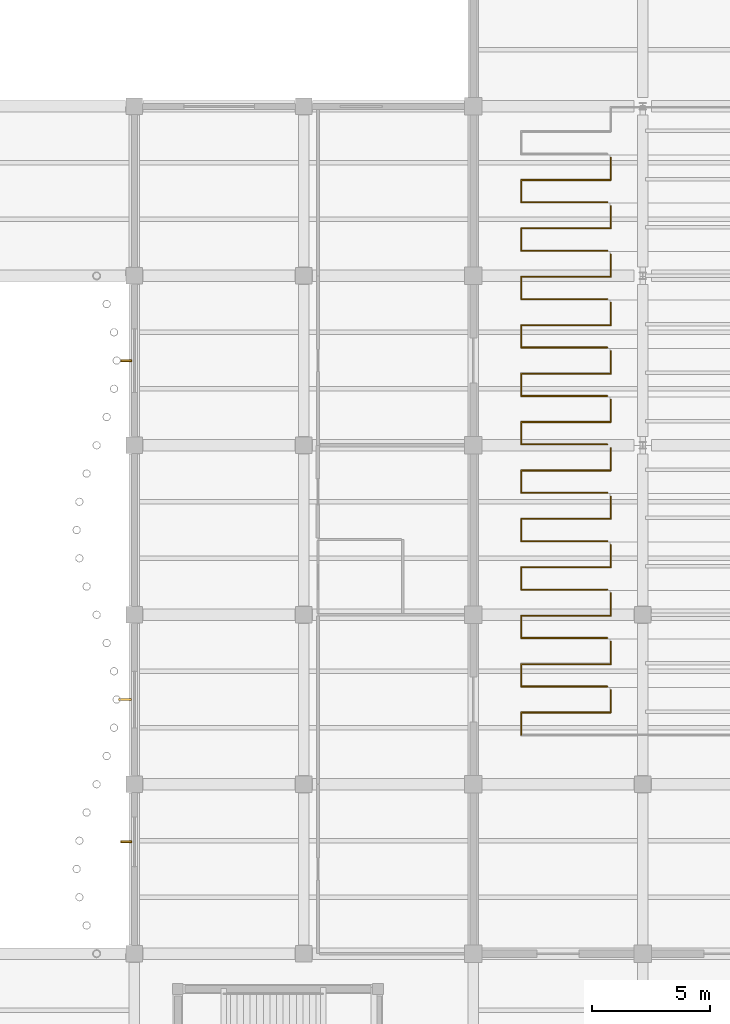
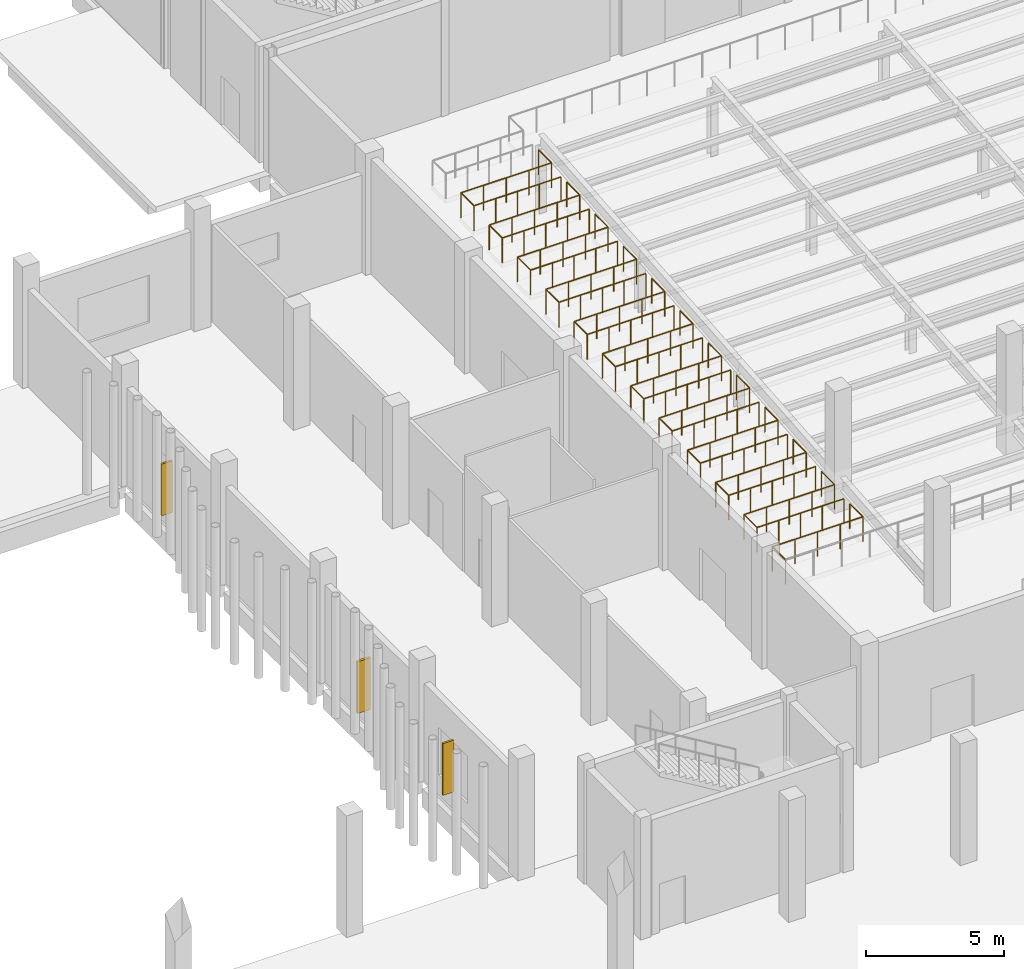
# One storey, part 38 of 46: 23 railings, 3 shading devices.
"""IFC4 building model written with IfcOpenShell, lengths in metres."""

from ifc_helpers import new_model, si_unit, direction, frame, origin, origin_2d, place, context, subcontext, project, spatial, rectangle, circle, extrude, material, type_object, element, save


model = new_model("IFC4")

# Units and contexts
model_context = context("Model", 3, precision=1e-05, world=origin(), true_north=direction((0.0, 1.0)))
body_context = subcontext(model_context, "Body", "Model", "MODEL_VIEW")
ifc_project = project(units=[si_unit("LENGTHUNIT", "METRE"), si_unit("AREAUNIT", "SQUARE_METRE"), si_unit("VOLUMEUNIT", "CUBIC_METRE"), si_unit("PLANEANGLEUNIT", "RADIAN"), si_unit("MASSUNIT", "GRAM", prefix="KILO"), si_unit("THERMODYNAMICTEMPERATUREUNIT", "KELVIN"), si_unit("POWERUNIT", "WATT")], contexts=[model_context])

# Site, building, storey
site_placement = place(None, origin())
site = spatial("IfcSite", under=ifc_project, at=site_placement, CompositionType="ELEMENT")
building_placement = place(site_placement, origin())
building = spatial("IfcBuilding", under=site, at=building_placement, Name="Kaldorven Railside Theatre", CompositionType="ELEMENT")
storey_placement = place(building_placement, origin())
storey = spatial("IfcBuildingStorey", under=building, at=storey_placement, Name="L00", CompositionType="ELEMENT", Elevation=0.0)

# Railings
ifc_material = material(Name="Anodised bronze aluminium", Category="aluminium")
railing_type = type_object("IfcRailingType", Name="RLG-BAL-1100", PredefinedType="BALUSTRADE", material=ifc_material)
for number, where, name in (
    (1, (89.239990234375, 50.096923828125, 1.429931640625), "L00 Auditorium Tier Safety Guard GR-001"),
    (2, (89.239990234375, 52.154052734375, 1.610107421875), "L00 Auditorium Tier Safety Guard GR-003"),
):
    element("IfcRailing", number, at=place(storey_placement, frame(where)), inside=storey, type_object=railing_type, Name=name, PredefinedType="BALUSTRADE", context=body_context, shape_type="SweptSolid", body=[
        extrude(circle(Radius=0.02392578125, at=origin_2d()), frame((0.0, 0.0, 1.09619140625), z_axis=(0.0, 1.0, 0.0), x_axis=(-1.0, 0.0, 0.0)), (0.0, 0.0, 1.0), 0.948974609375),
        extrude(circle(Radius=0.02392578125, at=origin_2d()), frame((0.0, 0.948974609375, 1.09619140625), z_axis=(1.0, 0.0, 0.0), x_axis=(0.0, 1.0, 0.0)), (0.0, 0.0, 1.0), 3.800048828125),
        extrude(circle(Radius=0.02392578125, at=origin_2d()), frame((3.800048828125, 0.948974609375, 1.09619140625), z_axis=(0.0, 1.0, 0.0), x_axis=(-1.0, 0.0, 0.0)), (0.0, 0.0, 1.0), 0.947998046875),
        extrude(circle(Radius=0.02099609375, at=origin_2d()), origin(), (0.0, 0.0, 1.0), 1.072021484375),
        extrude(circle(Radius=0.02099609375, at=origin_2d()), frame((0.0, 0.948974609375, 0.0)), (0.0, 0.0, 1.0), 1.072021484375),
        extrude(circle(Radius=0.02099609375, at=origin_2d()), frame((0.949951171875, 0.948974609375, 0.0)), (0.0, 0.0, 1.0), 1.072021484375),
        extrude(circle(Radius=0.02099609375, at=origin_2d()), frame((1.89990234375, 0.948974609375, 0.0)), (0.0, 0.0, 1.0), 1.072021484375),
        extrude(circle(Radius=0.02099609375, at=origin_2d()), frame((2.85009765625, 0.948974609375, 0.0)), (0.0, 0.0, 1.0), 1.072021484375),
        extrude(circle(Radius=0.02099609375, at=origin_2d()), frame((3.800048828125, 0.948974609375, 0.0)), (0.0, 0.0, 1.0), 1.072021484375),
        extrude(circle(Radius=0.02099609375, at=origin_2d()), frame((3.800048828125, 1.89697265625, 0.0)), (0.0, 0.0, 1.0), 1.072021484375),
    ])
railing_1_placement = place(storey_placement, frame((92.886962890625, 52.154052734375, 1.610107421875)))
element("IfcRailing", 3, at=railing_1_placement, inside=storey, type_object=railing_type, Name="L00 Auditorium Tier Safety Guard GR-005", PredefinedType="BALUSTRADE", context=body_context, shape_type="SweptSolid", body=[
    extrude(circle(Radius=0.02392578125, at=origin_2d()), frame((0.0, 0.0, 1.09619140625), z_axis=(-1.0, 0.0, 0.0), x_axis=(0.0, -1.0, 0.0)), (0.0, 0.0, 1.0), 3.64697265625),
    extrude(circle(Radius=0.02099609375, at=origin_2d()), origin(), (0.0, 0.0, 1.0), 1.072021484375),
    extrude(circle(Radius=0.02099609375, at=origin_2d()), frame((-0.91162109375, 0.0, 0.0)), (0.0, 0.0, 1.0), 1.072021484375),
    extrude(circle(Radius=0.02099609375, at=origin_2d()), frame((-1.823486328125, 0.0, 0.0)), (0.0, 0.0, 1.0), 1.072021484375),
    extrude(circle(Radius=0.02099609375, at=origin_2d()), frame((-2.7353515625, 0.0, 0.0)), (0.0, 0.0, 1.0), 1.072021484375),
    extrude(circle(Radius=0.02099609375, at=origin_2d()), frame((-3.64697265625, 0.0, 0.0)), (0.0, 0.0, 1.0), 1.072021484375),
])
railing_2_placement = place(storey_placement, frame((89.239990234375, 54.2109375, 1.7900390625)))
element("IfcRailing", 4, at=railing_2_placement, inside=storey, type_object=railing_type, Name="L00 Auditorium Tier Safety Guard GR-006", PredefinedType="BALUSTRADE", context=body_context, shape_type="SweptSolid", body=[
    extrude(circle(Radius=0.02392578125, at=origin_2d()), frame((0.0, 0.0, 1.09619140625), z_axis=(0.0, 1.0, 0.0), x_axis=(-1.0, 0.0, 0.0)), (0.0, 0.0, 1.0), 0.948974609375),
    extrude(circle(Radius=0.02392578125, at=origin_2d()), frame((0.0, 0.948974609375, 1.09619140625), z_axis=(1.0, 0.0, 0.0), x_axis=(0.0, 1.0, 0.0)), (0.0, 0.0, 1.0), 3.800048828125),
    extrude(circle(Radius=0.02392578125, at=origin_2d()), frame((3.800048828125, 0.948974609375, 1.09619140625), z_axis=(0.0, 1.0, 0.0), x_axis=(-1.0, 0.0, 0.0)), (0.0, 0.0, 1.0), 0.947998046875),
    extrude(circle(Radius=0.02099609375, at=origin_2d()), origin(), (0.0, 0.0, 1.0), 1.072021484375),
    extrude(circle(Radius=0.02099609375, at=origin_2d()), frame((0.0, 0.948974609375, 0.0)), (0.0, 0.0, 1.0), 1.072021484375),
    extrude(circle(Radius=0.02099609375, at=origin_2d()), frame((0.949951171875, 0.948974609375, 0.0)), (0.0, 0.0, 1.0), 1.072021484375),
    extrude(circle(Radius=0.02099609375, at=origin_2d()), frame((1.89990234375, 0.948974609375, 0.0)), (0.0, 0.0, 1.0), 1.072021484375),
    extrude(circle(Radius=0.02099609375, at=origin_2d()), frame((2.85009765625, 0.948974609375, 0.0)), (0.0, 0.0, 1.0), 1.072021484375),
    extrude(circle(Radius=0.02099609375, at=origin_2d()), frame((3.800048828125, 0.948974609375, 0.0)), (0.0, 0.0, 1.0), 1.072021484375),
    extrude(circle(Radius=0.02099609375, at=origin_2d()), frame((3.800048828125, 1.89697265625, 0.0)), (0.0, 0.0, 1.0), 1.072021484375),
])
railing_3_placement = place(storey_placement, frame((92.886962890625, 54.2109375, 1.7900390625)))
element("IfcRailing", 5, at=railing_3_placement, inside=storey, type_object=railing_type, Name="L00 Auditorium Tier Safety Guard GR-008", PredefinedType="BALUSTRADE", context=body_context, shape_type="SweptSolid", body=[
    extrude(circle(Radius=0.02392578125, at=origin_2d()), frame((0.0, 0.0, 1.09619140625), z_axis=(-1.0, 0.0, 0.0), x_axis=(0.0, -1.0, 0.0)), (0.0, 0.0, 1.0), 3.64697265625),
    extrude(circle(Radius=0.02099609375, at=origin_2d()), origin(), (0.0, 0.0, 1.0), 1.072021484375),
    extrude(circle(Radius=0.02099609375, at=origin_2d()), frame((-0.91162109375, 0.0, 0.0)), (0.0, 0.0, 1.0), 1.072021484375),
    extrude(circle(Radius=0.02099609375, at=origin_2d()), frame((-1.823486328125, 0.0, 0.0)), (0.0, 0.0, 1.0), 1.072021484375),
    extrude(circle(Radius=0.02099609375, at=origin_2d()), frame((-2.7353515625, 0.0, 0.0)), (0.0, 0.0, 1.0), 1.072021484375),
    extrude(circle(Radius=0.02099609375, at=origin_2d()), frame((-3.64697265625, 0.0, 0.0)), (0.0, 0.0, 1.0), 1.072021484375),
])
railing_4_placement = place(storey_placement, frame((89.239990234375, 56.26806640625, 1.969970703125)))
element("IfcRailing", 6, at=railing_4_placement, inside=storey, type_object=railing_type, Name="L00 Auditorium Tier Safety Guard GR-009", PredefinedType="BALUSTRADE", context=body_context, shape_type="SweptSolid", body=[
    extrude(circle(Radius=0.02392578125, at=origin_2d()), frame((0.0, 0.0, 1.09619140625), z_axis=(0.0, 1.0, 0.0), x_axis=(-1.0, 0.0, 0.0)), (0.0, 0.0, 1.0), 0.948974609375),
    extrude(circle(Radius=0.02392578125, at=origin_2d()), frame((0.0, 0.948974609375, 1.09619140625), z_axis=(1.0, 0.0, 0.0), x_axis=(0.0, 1.0, 0.0)), (0.0, 0.0, 1.0), 3.800048828125),
    extrude(circle(Radius=0.02392578125, at=origin_2d()), frame((3.800048828125, 0.948974609375, 1.09619140625), z_axis=(0.0, 1.0, 0.0), x_axis=(-1.0, 0.0, 0.0)), (0.0, 0.0, 1.0), 0.947998046875),
    extrude(circle(Radius=0.02099609375, at=origin_2d()), origin(), (0.0, 0.0, 1.0), 1.072021484375),
    extrude(circle(Radius=0.02099609375, at=origin_2d()), frame((0.0, 0.948974609375, 0.0)), (0.0, 0.0, 1.0), 1.072021484375),
    extrude(circle(Radius=0.02099609375, at=origin_2d()), frame((0.949951171875, 0.948974609375, 0.0)), (0.0, 0.0, 1.0), 1.072021484375),
    extrude(circle(Radius=0.02099609375, at=origin_2d()), frame((1.89990234375, 0.948974609375, 0.0)), (0.0, 0.0, 1.0), 1.072021484375),
    extrude(circle(Radius=0.02099609375, at=origin_2d()), frame((2.85009765625, 0.948974609375, 0.0)), (0.0, 0.0, 1.0), 1.072021484375),
    extrude(circle(Radius=0.02099609375, at=origin_2d()), frame((3.800048828125, 0.948974609375, 0.0)), (0.0, 0.0, 1.0), 1.072021484375),
    extrude(circle(Radius=0.02099609375, at=origin_2d()), frame((3.800048828125, 1.89697265625, 0.0)), (0.0, 0.0, 1.0), 1.072021484375),
])
railing_5_placement = place(storey_placement, frame((92.886962890625, 56.26806640625, 1.969970703125)))
element("IfcRailing", 7, at=railing_5_placement, inside=storey, type_object=railing_type, Name="L00 Auditorium Tier Safety Guard GR-011", PredefinedType="BALUSTRADE", context=body_context, shape_type="SweptSolid", body=[
    extrude(circle(Radius=0.02392578125, at=origin_2d()), frame((0.0, 0.0, 1.09619140625), z_axis=(-1.0, 0.0, 0.0), x_axis=(0.0, -1.0, 0.0)), (0.0, 0.0, 1.0), 3.64697265625),
    extrude(circle(Radius=0.02099609375, at=origin_2d()), origin(), (0.0, 0.0, 1.0), 1.072021484375),
    extrude(circle(Radius=0.02099609375, at=origin_2d()), frame((-0.91162109375, 0.0, 0.0)), (0.0, 0.0, 1.0), 1.072021484375),
    extrude(circle(Radius=0.02099609375, at=origin_2d()), frame((-1.823486328125, 0.0, 0.0)), (0.0, 0.0, 1.0), 1.072021484375),
    extrude(circle(Radius=0.02099609375, at=origin_2d()), frame((-2.7353515625, 0.0, 0.0)), (0.0, 0.0, 1.0), 1.072021484375),
    extrude(circle(Radius=0.02099609375, at=origin_2d()), frame((-3.64697265625, 0.0, 0.0)), (0.0, 0.0, 1.0), 1.072021484375),
])
railing_6_placement = place(storey_placement, frame((89.239990234375, 58.324951171875, 2.14990234375)))
element("IfcRailing", 8, at=railing_6_placement, inside=storey, type_object=railing_type, Name="L00 Auditorium Tier Safety Guard GR-012", PredefinedType="BALUSTRADE", context=body_context, shape_type="SweptSolid", body=[
    extrude(circle(Radius=0.02392578125, at=origin_2d()), frame((0.0, 0.0, 1.09619140625), z_axis=(0.0, 1.0, 0.0), x_axis=(-1.0, 0.0, 0.0)), (0.0, 0.0, 1.0), 0.948974609375),
    extrude(circle(Radius=0.02392578125, at=origin_2d()), frame((0.0, 0.948974609375, 1.09619140625), z_axis=(1.0, 0.0, 0.0), x_axis=(0.0, 1.0, 0.0)), (0.0, 0.0, 1.0), 3.800048828125),
    extrude(circle(Radius=0.02392578125, at=origin_2d()), frame((3.800048828125, 0.948974609375, 1.09619140625), z_axis=(0.0, 1.0, 0.0), x_axis=(-1.0, 0.0, 0.0)), (0.0, 0.0, 1.0), 0.947998046875),
    extrude(circle(Radius=0.02099609375, at=origin_2d()), origin(), (0.0, 0.0, 1.0), 1.072021484375),
    extrude(circle(Radius=0.02099609375, at=origin_2d()), frame((0.0, 0.948974609375, 0.0)), (0.0, 0.0, 1.0), 1.072021484375),
    extrude(circle(Radius=0.02099609375, at=origin_2d()), frame((0.949951171875, 0.948974609375, 0.0)), (0.0, 0.0, 1.0), 1.072021484375),
    extrude(circle(Radius=0.02099609375, at=origin_2d()), frame((1.89990234375, 0.948974609375, 0.0)), (0.0, 0.0, 1.0), 1.072021484375),
    extrude(circle(Radius=0.02099609375, at=origin_2d()), frame((2.85009765625, 0.948974609375, 0.0)), (0.0, 0.0, 1.0), 1.072021484375),
    extrude(circle(Radius=0.02099609375, at=origin_2d()), frame((3.800048828125, 0.948974609375, 0.0)), (0.0, 0.0, 1.0), 1.072021484375),
    extrude(circle(Radius=0.02099609375, at=origin_2d()), frame((3.800048828125, 1.89697265625, 0.0)), (0.0, 0.0, 1.0), 1.072021484375),
])
railing_7_placement = place(storey_placement, frame((92.886962890625, 58.324951171875, 2.14990234375)))
element("IfcRailing", 9, at=railing_7_placement, inside=storey, type_object=railing_type, Name="L00 Auditorium Tier Safety Guard GR-014", PredefinedType="BALUSTRADE", context=body_context, shape_type="SweptSolid", body=[
    extrude(circle(Radius=0.02392578125, at=origin_2d()), frame((0.0, 0.0, 1.09619140625), z_axis=(-1.0, 0.0, 0.0), x_axis=(0.0, -1.0, 0.0)), (0.0, 0.0, 1.0), 3.64697265625),
    extrude(circle(Radius=0.02099609375, at=origin_2d()), origin(), (0.0, 0.0, 1.0), 1.072021484375),
    extrude(circle(Radius=0.02099609375, at=origin_2d()), frame((-0.91162109375, 0.0, 0.0)), (0.0, 0.0, 1.0), 1.072021484375),
    extrude(circle(Radius=0.02099609375, at=origin_2d()), frame((-1.823486328125, 0.0, 0.0)), (0.0, 0.0, 1.0), 1.072021484375),
    extrude(circle(Radius=0.02099609375, at=origin_2d()), frame((-2.7353515625, 0.0, 0.0)), (0.0, 0.0, 1.0), 1.072021484375),
    extrude(circle(Radius=0.02099609375, at=origin_2d()), frame((-3.64697265625, 0.0, 0.0)), (0.0, 0.0, 1.0), 1.072021484375),
])
railing_8_placement = place(storey_placement, frame((89.239990234375, 60.382080078125, 2.330078125)))
element("IfcRailing", 10, at=railing_8_placement, inside=storey, type_object=railing_type, Name="L00 Auditorium Tier Safety Guard GR-015", PredefinedType="BALUSTRADE", context=body_context, shape_type="SweptSolid", body=[
    extrude(circle(Radius=0.02392578125, at=origin_2d()), frame((0.0, 0.0, 1.09619140625), z_axis=(0.0, 1.0, 0.0), x_axis=(-1.0, 0.0, 0.0)), (0.0, 0.0, 1.0), 0.948974609375),
    extrude(circle(Radius=0.02392578125, at=origin_2d()), frame((0.0, 0.948974609375, 1.09619140625), z_axis=(1.0, 0.0, 0.0), x_axis=(0.0, 1.0, 0.0)), (0.0, 0.0, 1.0), 3.800048828125),
    extrude(circle(Radius=0.02392578125, at=origin_2d()), frame((3.800048828125, 0.948974609375, 1.09619140625), z_axis=(0.0, 1.0, 0.0), x_axis=(-1.0, 0.0, 0.0)), (0.0, 0.0, 1.0), 0.947998046875),
    extrude(circle(Radius=0.02099609375, at=origin_2d()), origin(), (0.0, 0.0, 1.0), 1.072021484375),
    extrude(circle(Radius=0.02099609375, at=origin_2d()), frame((0.0, 0.948974609375, 0.0)), (0.0, 0.0, 1.0), 1.072021484375),
    extrude(circle(Radius=0.02099609375, at=origin_2d()), frame((0.949951171875, 0.948974609375, 0.0)), (0.0, 0.0, 1.0), 1.072021484375),
    extrude(circle(Radius=0.02099609375, at=origin_2d()), frame((1.89990234375, 0.948974609375, 0.0)), (0.0, 0.0, 1.0), 1.072021484375),
    extrude(circle(Radius=0.02099609375, at=origin_2d()), frame((2.85009765625, 0.948974609375, 0.0)), (0.0, 0.0, 1.0), 1.072021484375),
    extrude(circle(Radius=0.02099609375, at=origin_2d()), frame((3.800048828125, 0.948974609375, 0.0)), (0.0, 0.0, 1.0), 1.072021484375),
    extrude(circle(Radius=0.02099609375, at=origin_2d()), frame((3.800048828125, 1.89697265625, 0.0)), (0.0, 0.0, 1.0), 1.072021484375),
])
railing_9_placement = place(storey_placement, frame((92.886962890625, 60.382080078125, 2.330078125)))
element("IfcRailing", 11, at=railing_9_placement, inside=storey, type_object=railing_type, Name="L00 Auditorium Tier Safety Guard GR-017", PredefinedType="BALUSTRADE", context=body_context, shape_type="SweptSolid", body=[
    extrude(circle(Radius=0.02392578125, at=origin_2d()), frame((0.0, 0.0, 1.09619140625), z_axis=(-1.0, 0.0, 0.0), x_axis=(0.0, -1.0, 0.0)), (0.0, 0.0, 1.0), 3.64697265625),
    extrude(circle(Radius=0.02099609375, at=origin_2d()), origin(), (0.0, 0.0, 1.0), 1.072021484375),
    extrude(circle(Radius=0.02099609375, at=origin_2d()), frame((-0.91162109375, 0.0, 0.0)), (0.0, 0.0, 1.0), 1.072021484375),
    extrude(circle(Radius=0.02099609375, at=origin_2d()), frame((-1.823486328125, 0.0, 0.0)), (0.0, 0.0, 1.0), 1.072021484375),
    extrude(circle(Radius=0.02099609375, at=origin_2d()), frame((-2.7353515625, 0.0, 0.0)), (0.0, 0.0, 1.0), 1.072021484375),
    extrude(circle(Radius=0.02099609375, at=origin_2d()), frame((-3.64697265625, 0.0, 0.0)), (0.0, 0.0, 1.0), 1.072021484375),
])
railing_10_placement = place(storey_placement, frame((89.239990234375, 62.43896484375, 2.510009765625)))
element("IfcRailing", 12, at=railing_10_placement, inside=storey, type_object=railing_type, Name="L00 Auditorium Tier Safety Guard GR-018", PredefinedType="BALUSTRADE", context=body_context, shape_type="SweptSolid", body=[
    extrude(circle(Radius=0.02392578125, at=origin_2d()), frame((0.0, 0.0, 1.09619140625), z_axis=(0.0, 1.0, 0.0), x_axis=(-1.0, 0.0, 0.0)), (0.0, 0.0, 1.0), 0.948974609375),
    extrude(circle(Radius=0.02392578125, at=origin_2d()), frame((0.0, 0.948974609375, 1.09619140625), z_axis=(1.0, 0.0, 0.0), x_axis=(0.0, 1.0, 0.0)), (0.0, 0.0, 1.0), 3.800048828125),
    extrude(circle(Radius=0.02392578125, at=origin_2d()), frame((3.800048828125, 0.948974609375, 1.09619140625), z_axis=(0.0, 1.0, 0.0), x_axis=(-1.0, 0.0, 0.0)), (0.0, 0.0, 1.0), 0.947998046875),
    extrude(circle(Radius=0.02099609375, at=origin_2d()), origin(), (0.0, 0.0, 1.0), 1.072021484375),
    extrude(circle(Radius=0.02099609375, at=origin_2d()), frame((0.0, 0.948974609375, 0.0)), (0.0, 0.0, 1.0), 1.072021484375),
    extrude(circle(Radius=0.02099609375, at=origin_2d()), frame((0.949951171875, 0.948974609375, 0.0)), (0.0, 0.0, 1.0), 1.072021484375),
    extrude(circle(Radius=0.02099609375, at=origin_2d()), frame((1.89990234375, 0.948974609375, 0.0)), (0.0, 0.0, 1.0), 1.072021484375),
    extrude(circle(Radius=0.02099609375, at=origin_2d()), frame((2.85009765625, 0.948974609375, 0.0)), (0.0, 0.0, 1.0), 1.072021484375),
    extrude(circle(Radius=0.02099609375, at=origin_2d()), frame((3.800048828125, 0.948974609375, 0.0)), (0.0, 0.0, 1.0), 1.072021484375),
    extrude(circle(Radius=0.02099609375, at=origin_2d()), frame((3.800048828125, 1.89697265625, 0.0)), (0.0, 0.0, 1.0), 1.072021484375),
])
railing_11_placement = place(storey_placement, frame((92.886962890625, 62.43896484375, 2.510009765625)))
element("IfcRailing", 13, at=railing_11_placement, inside=storey, type_object=railing_type, Name="L00 Auditorium Tier Safety Guard GR-020", PredefinedType="BALUSTRADE", context=body_context, shape_type="SweptSolid", body=[
    extrude(circle(Radius=0.02392578125, at=origin_2d()), frame((0.0, 0.0, 1.09619140625), z_axis=(-1.0, 0.0, 0.0), x_axis=(0.0, -1.0, 0.0)), (0.0, 0.0, 1.0), 3.64697265625),
    extrude(circle(Radius=0.02099609375, at=origin_2d()), origin(), (0.0, 0.0, 1.0), 1.072021484375),
    extrude(circle(Radius=0.02099609375, at=origin_2d()), frame((-0.91162109375, 0.0, 0.0)), (0.0, 0.0, 1.0), 1.072021484375),
    extrude(circle(Radius=0.02099609375, at=origin_2d()), frame((-1.823486328125, 0.0, 0.0)), (0.0, 0.0, 1.0), 1.072021484375),
    extrude(circle(Radius=0.02099609375, at=origin_2d()), frame((-2.7353515625, 0.0, 0.0)), (0.0, 0.0, 1.0), 1.072021484375),
    extrude(circle(Radius=0.02099609375, at=origin_2d()), frame((-3.64697265625, 0.0, 0.0)), (0.0, 0.0, 1.0), 1.072021484375),
])
railing_12_placement = place(storey_placement, frame((89.239990234375, 64.49609375, 2.68994140625)))
element("IfcRailing", 14, at=railing_12_placement, inside=storey, type_object=railing_type, Name="L00 Auditorium Tier Safety Guard GR-021", PredefinedType="BALUSTRADE", context=body_context, shape_type="SweptSolid", body=[
    extrude(circle(Radius=0.02392578125, at=origin_2d()), frame((0.0, 0.0, 1.09619140625), z_axis=(0.0, 1.0, 0.0), x_axis=(-1.0, 0.0, 0.0)), (0.0, 0.0, 1.0), 0.948974609375),
    extrude(circle(Radius=0.02392578125, at=origin_2d()), frame((0.0, 0.948974609375, 1.09619140625), z_axis=(1.0, 0.0, 0.0), x_axis=(0.0, 1.0, 0.0)), (0.0, 0.0, 1.0), 3.800048828125),
    extrude(circle(Radius=0.02392578125, at=origin_2d()), frame((3.800048828125, 0.948974609375, 1.09619140625), z_axis=(0.0, 1.0, 0.0), x_axis=(-1.0, 0.0, 0.0)), (0.0, 0.0, 1.0), 0.947998046875),
    extrude(circle(Radius=0.02099609375, at=origin_2d()), origin(), (0.0, 0.0, 1.0), 1.072021484375),
    extrude(circle(Radius=0.02099609375, at=origin_2d()), frame((0.0, 0.948974609375, 0.0)), (0.0, 0.0, 1.0), 1.072021484375),
    extrude(circle(Radius=0.02099609375, at=origin_2d()), frame((0.949951171875, 0.948974609375, 0.0)), (0.0, 0.0, 1.0), 1.072021484375),
    extrude(circle(Radius=0.02099609375, at=origin_2d()), frame((1.89990234375, 0.948974609375, 0.0)), (0.0, 0.0, 1.0), 1.072021484375),
    extrude(circle(Radius=0.02099609375, at=origin_2d()), frame((2.85009765625, 0.948974609375, 0.0)), (0.0, 0.0, 1.0), 1.072021484375),
    extrude(circle(Radius=0.02099609375, at=origin_2d()), frame((3.800048828125, 0.948974609375, 0.0)), (0.0, 0.0, 1.0), 1.072021484375),
    extrude(circle(Radius=0.02099609375, at=origin_2d()), frame((3.800048828125, 1.89697265625, 0.0)), (0.0, 0.0, 1.0), 1.072021484375),
])
railing_13_placement = place(storey_placement, frame((92.886962890625, 64.49609375, 2.68994140625)))
element("IfcRailing", 15, at=railing_13_placement, inside=storey, type_object=railing_type, Name="L00 Auditorium Tier Safety Guard GR-023", PredefinedType="BALUSTRADE", context=body_context, shape_type="SweptSolid", body=[
    extrude(circle(Radius=0.02392578125, at=origin_2d()), frame((0.0, 0.0, 1.09619140625), z_axis=(-1.0, 0.0, 0.0), x_axis=(0.0, -1.0, 0.0)), (0.0, 0.0, 1.0), 3.64697265625),
    extrude(circle(Radius=0.02099609375, at=origin_2d()), origin(), (0.0, 0.0, 1.0), 1.072021484375),
    extrude(circle(Radius=0.02099609375, at=origin_2d()), frame((-0.91162109375, 0.0, 0.0)), (0.0, 0.0, 1.0), 1.072021484375),
    extrude(circle(Radius=0.02099609375, at=origin_2d()), frame((-1.823486328125, 0.0, 0.0)), (0.0, 0.0, 1.0), 1.072021484375),
    extrude(circle(Radius=0.02099609375, at=origin_2d()), frame((-2.7353515625, 0.0, 0.0)), (0.0, 0.0, 1.0), 1.072021484375),
    extrude(circle(Radius=0.02099609375, at=origin_2d()), frame((-3.64697265625, 0.0, 0.0)), (0.0, 0.0, 1.0), 1.072021484375),
])
railing_14_placement = place(storey_placement, frame((89.239990234375, 66.552978515625, 2.8701171875)))
element("IfcRailing", 16, at=railing_14_placement, inside=storey, type_object=railing_type, Name="L00 Auditorium Tier Safety Guard GR-024", PredefinedType="BALUSTRADE", context=body_context, shape_type="SweptSolid", body=[
    extrude(circle(Radius=0.02392578125, at=origin_2d()), frame((0.0, 0.0, 1.09619140625), z_axis=(0.0, 1.0, 0.0), x_axis=(-1.0, 0.0, 0.0)), (0.0, 0.0, 1.0), 0.948974609375),
    extrude(circle(Radius=0.02392578125, at=origin_2d()), frame((0.0, 0.948974609375, 1.09619140625), z_axis=(1.0, 0.0, 0.0), x_axis=(0.0, 1.0, 0.0)), (0.0, 0.0, 1.0), 3.800048828125),
    extrude(circle(Radius=0.02392578125, at=origin_2d()), frame((3.800048828125, 0.948974609375, 1.09619140625), z_axis=(0.0, 1.0, 0.0), x_axis=(-1.0, 0.0, 0.0)), (0.0, 0.0, 1.0), 0.947998046875),
    extrude(circle(Radius=0.02099609375, at=origin_2d()), origin(), (0.0, 0.0, 1.0), 1.072021484375),
    extrude(circle(Radius=0.02099609375, at=origin_2d()), frame((0.0, 0.948974609375, 0.0)), (0.0, 0.0, 1.0), 1.072021484375),
    extrude(circle(Radius=0.02099609375, at=origin_2d()), frame((0.949951171875, 0.948974609375, 0.0)), (0.0, 0.0, 1.0), 1.072021484375),
    extrude(circle(Radius=0.02099609375, at=origin_2d()), frame((1.89990234375, 0.948974609375, 0.0)), (0.0, 0.0, 1.0), 1.072021484375),
    extrude(circle(Radius=0.02099609375, at=origin_2d()), frame((2.85009765625, 0.948974609375, 0.0)), (0.0, 0.0, 1.0), 1.072021484375),
    extrude(circle(Radius=0.02099609375, at=origin_2d()), frame((3.800048828125, 0.948974609375, 0.0)), (0.0, 0.0, 1.0), 1.072021484375),
    extrude(circle(Radius=0.02099609375, at=origin_2d()), frame((3.800048828125, 1.89697265625, 0.0)), (0.0, 0.0, 1.0), 1.072021484375),
])
railing_15_placement = place(storey_placement, frame((92.886962890625, 66.552978515625, 2.8701171875)))
element("IfcRailing", 17, at=railing_15_placement, inside=storey, type_object=railing_type, Name="L00 Auditorium Tier Safety Guard GR-026", PredefinedType="BALUSTRADE", context=body_context, shape_type="SweptSolid", body=[
    extrude(circle(Radius=0.02392578125, at=origin_2d()), frame((0.0, 0.0, 1.09619140625), z_axis=(-1.0, 0.0, 0.0), x_axis=(0.0, -1.0, 0.0)), (0.0, 0.0, 1.0), 3.64697265625),
    extrude(circle(Radius=0.02099609375, at=origin_2d()), origin(), (0.0, 0.0, 1.0), 1.072021484375),
    extrude(circle(Radius=0.02099609375, at=origin_2d()), frame((-0.91162109375, 0.0, 0.0)), (0.0, 0.0, 1.0), 1.072021484375),
    extrude(circle(Radius=0.02099609375, at=origin_2d()), frame((-1.823486328125, 0.0, 0.0)), (0.0, 0.0, 1.0), 1.072021484375),
    extrude(circle(Radius=0.02099609375, at=origin_2d()), frame((-2.7353515625, 0.0, 0.0)), (0.0, 0.0, 1.0), 1.072021484375),
    extrude(circle(Radius=0.02099609375, at=origin_2d()), frame((-3.64697265625, 0.0, 0.0)), (0.0, 0.0, 1.0), 1.072021484375),
])
railing_16_placement = place(storey_placement, frame((89.239990234375, 68.610107421875, 3.050048828125)))
element("IfcRailing", 18, at=railing_16_placement, inside=storey, type_object=railing_type, Name="L00 Auditorium Tier Safety Guard GR-027", PredefinedType="BALUSTRADE", context=body_context, shape_type="SweptSolid", body=[
    extrude(circle(Radius=0.02392578125, at=origin_2d()), frame((0.0, 0.0, 1.09619140625), z_axis=(0.0, 1.0, 0.0), x_axis=(-1.0, 0.0, 0.0)), (0.0, 0.0, 1.0), 0.948974609375),
    extrude(circle(Radius=0.02392578125, at=origin_2d()), frame((0.0, 0.948974609375, 1.09619140625), z_axis=(1.0, 0.0, 0.0), x_axis=(0.0, 1.0, 0.0)), (0.0, 0.0, 1.0), 3.800048828125),
    extrude(circle(Radius=0.02392578125, at=origin_2d()), frame((3.800048828125, 0.948974609375, 1.09619140625), z_axis=(0.0, 1.0, 0.0), x_axis=(-1.0, 0.0, 0.0)), (0.0, 0.0, 1.0), 0.947998046875),
    extrude(circle(Radius=0.02099609375, at=origin_2d()), origin(), (0.0, 0.0, 1.0), 1.072021484375),
    extrude(circle(Radius=0.02099609375, at=origin_2d()), frame((0.0, 0.948974609375, 0.0)), (0.0, 0.0, 1.0), 1.072021484375),
    extrude(circle(Radius=0.02099609375, at=origin_2d()), frame((0.949951171875, 0.948974609375, 0.0)), (0.0, 0.0, 1.0), 1.072021484375),
    extrude(circle(Radius=0.02099609375, at=origin_2d()), frame((1.89990234375, 0.948974609375, 0.0)), (0.0, 0.0, 1.0), 1.072021484375),
    extrude(circle(Radius=0.02099609375, at=origin_2d()), frame((2.85009765625, 0.948974609375, 0.0)), (0.0, 0.0, 1.0), 1.072021484375),
    extrude(circle(Radius=0.02099609375, at=origin_2d()), frame((3.800048828125, 0.948974609375, 0.0)), (0.0, 0.0, 1.0), 1.072021484375),
    extrude(circle(Radius=0.02099609375, at=origin_2d()), frame((3.800048828125, 1.89697265625, 0.0)), (0.0, 0.0, 1.0), 1.072021484375),
])
railing_17_placement = place(storey_placement, frame((92.886962890625, 68.610107421875, 3.050048828125)))
element("IfcRailing", 19, at=railing_17_placement, inside=storey, type_object=railing_type, Name="L00 Auditorium Tier Safety Guard GR-029", PredefinedType="BALUSTRADE", context=body_context, shape_type="SweptSolid", body=[
    extrude(circle(Radius=0.02392578125, at=origin_2d()), frame((0.0, 0.0, 1.09619140625), z_axis=(-1.0, 0.0, 0.0), x_axis=(0.0, -1.0, 0.0)), (0.0, 0.0, 1.0), 3.64697265625),
    extrude(circle(Radius=0.02099609375, at=origin_2d()), origin(), (0.0, 0.0, 1.0), 1.072021484375),
    extrude(circle(Radius=0.02099609375, at=origin_2d()), frame((-0.91162109375, 0.0, 0.0)), (0.0, 0.0, 1.0), 1.072021484375),
    extrude(circle(Radius=0.02099609375, at=origin_2d()), frame((-1.823486328125, 0.0, 0.0)), (0.0, 0.0, 1.0), 1.072021484375),
    extrude(circle(Radius=0.02099609375, at=origin_2d()), frame((-2.7353515625, 0.0, 0.0)), (0.0, 0.0, 1.0), 1.072021484375),
    extrude(circle(Radius=0.02099609375, at=origin_2d()), frame((-3.64697265625, 0.0, 0.0)), (0.0, 0.0, 1.0), 1.072021484375),
])
railing_18_placement = place(storey_placement, frame((89.239990234375, 70.6669921875, 3.22998046875)))
element("IfcRailing", 20, at=railing_18_placement, inside=storey, type_object=railing_type, Name="L00 Auditorium Tier Safety Guard GR-030", PredefinedType="BALUSTRADE", context=body_context, shape_type="SweptSolid", body=[
    extrude(circle(Radius=0.02392578125, at=origin_2d()), frame((0.0, 0.0, 1.09619140625), z_axis=(0.0, 1.0, 0.0), x_axis=(-1.0, 0.0, 0.0)), (0.0, 0.0, 1.0), 0.948974609375),
    extrude(circle(Radius=0.02392578125, at=origin_2d()), frame((0.0, 0.948974609375, 1.09619140625), z_axis=(1.0, 0.0, 0.0), x_axis=(0.0, 1.0, 0.0)), (0.0, 0.0, 1.0), 3.800048828125),
    extrude(circle(Radius=0.02392578125, at=origin_2d()), frame((3.800048828125, 0.948974609375, 1.09619140625), z_axis=(0.0, 1.0, 0.0), x_axis=(-1.0, 0.0, 0.0)), (0.0, 0.0, 1.0), 0.947998046875),
    extrude(circle(Radius=0.02099609375, at=origin_2d()), origin(), (0.0, 0.0, 1.0), 1.072021484375),
    extrude(circle(Radius=0.02099609375, at=origin_2d()), frame((0.0, 0.948974609375, 0.0)), (0.0, 0.0, 1.0), 1.072021484375),
    extrude(circle(Radius=0.02099609375, at=origin_2d()), frame((0.949951171875, 0.948974609375, 0.0)), (0.0, 0.0, 1.0), 1.072021484375),
    extrude(circle(Radius=0.02099609375, at=origin_2d()), frame((1.89990234375, 0.948974609375, 0.0)), (0.0, 0.0, 1.0), 1.072021484375),
    extrude(circle(Radius=0.02099609375, at=origin_2d()), frame((2.85009765625, 0.948974609375, 0.0)), (0.0, 0.0, 1.0), 1.072021484375),
    extrude(circle(Radius=0.02099609375, at=origin_2d()), frame((3.800048828125, 0.948974609375, 0.0)), (0.0, 0.0, 1.0), 1.072021484375),
    extrude(circle(Radius=0.02099609375, at=origin_2d()), frame((3.800048828125, 1.89697265625, 0.0)), (0.0, 0.0, 1.0), 1.072021484375),
])
railing_19_placement = place(storey_placement, frame((92.886962890625, 70.6669921875, 3.22998046875)))
element("IfcRailing", 21, at=railing_19_placement, inside=storey, type_object=railing_type, Name="L00 Auditorium Tier Safety Guard GR-032", PredefinedType="BALUSTRADE", context=body_context, shape_type="SweptSolid", body=[
    extrude(circle(Radius=0.02392578125, at=origin_2d()), frame((0.0, 0.0, 1.09619140625), z_axis=(-1.0, 0.0, 0.0), x_axis=(0.0, -1.0, 0.0)), (0.0, 0.0, 1.0), 3.64697265625),
    extrude(circle(Radius=0.02099609375, at=origin_2d()), origin(), (0.0, 0.0, 1.0), 1.072021484375),
    extrude(circle(Radius=0.02099609375, at=origin_2d()), frame((-0.91162109375, 0.0, 0.0)), (0.0, 0.0, 1.0), 1.072021484375),
    extrude(circle(Radius=0.02099609375, at=origin_2d()), frame((-1.823486328125, 0.0, 0.0)), (0.0, 0.0, 1.0), 1.072021484375),
    extrude(circle(Radius=0.02099609375, at=origin_2d()), frame((-2.7353515625, 0.0, 0.0)), (0.0, 0.0, 1.0), 1.072021484375),
    extrude(circle(Radius=0.02099609375, at=origin_2d()), frame((-3.64697265625, 0.0, 0.0)), (0.0, 0.0, 1.0), 1.072021484375),
])
railing_20_placement = place(storey_placement, frame((89.239990234375, 72.72412109375, 3.409912109375)))
element("IfcRailing", 22, at=railing_20_placement, inside=storey, type_object=railing_type, Name="L00 Auditorium Tier Safety Guard GR-033", PredefinedType="BALUSTRADE", context=body_context, shape_type="SweptSolid", body=[
    extrude(circle(Radius=0.02392578125, at=origin_2d()), frame((0.0, 0.0, 1.09619140625), z_axis=(0.0, 1.0, 0.0), x_axis=(-1.0, 0.0, 0.0)), (0.0, 0.0, 1.0), 0.948974609375),
    extrude(circle(Radius=0.02392578125, at=origin_2d()), frame((0.0, 0.948974609375, 1.09619140625), z_axis=(1.0, 0.0, 0.0), x_axis=(0.0, 1.0, 0.0)), (0.0, 0.0, 1.0), 3.800048828125),
    extrude(circle(Radius=0.02392578125, at=origin_2d()), frame((3.800048828125, 0.948974609375, 1.09619140625), z_axis=(0.0, 1.0, 0.0), x_axis=(-1.0, 0.0, 0.0)), (0.0, 0.0, 1.0), 0.947998046875),
    extrude(circle(Radius=0.02099609375, at=origin_2d()), origin(), (0.0, 0.0, 1.0), 1.072021484375),
    extrude(circle(Radius=0.02099609375, at=origin_2d()), frame((0.0, 0.948974609375, 0.0)), (0.0, 0.0, 1.0), 1.072021484375),
    extrude(circle(Radius=0.02099609375, at=origin_2d()), frame((0.949951171875, 0.948974609375, 0.0)), (0.0, 0.0, 1.0), 1.072021484375),
    extrude(circle(Radius=0.02099609375, at=origin_2d()), frame((1.89990234375, 0.948974609375, 0.0)), (0.0, 0.0, 1.0), 1.072021484375),
    extrude(circle(Radius=0.02099609375, at=origin_2d()), frame((2.85009765625, 0.948974609375, 0.0)), (0.0, 0.0, 1.0), 1.072021484375),
    extrude(circle(Radius=0.02099609375, at=origin_2d()), frame((3.800048828125, 0.948974609375, 0.0)), (0.0, 0.0, 1.0), 1.072021484375),
    extrude(circle(Radius=0.02099609375, at=origin_2d()), frame((3.800048828125, 1.89697265625, 0.0)), (0.0, 0.0, 1.0), 1.072021484375),
])
railing_21_placement = place(storey_placement, frame((92.886962890625, 72.72412109375, 3.409912109375)))
element("IfcRailing", 23, at=railing_21_placement, inside=storey, type_object=railing_type, Name="L00 Auditorium Tier Safety Guard GR-035", PredefinedType="BALUSTRADE", context=body_context, shape_type="SweptSolid", body=[
    extrude(circle(Radius=0.02392578125, at=origin_2d()), frame((0.0, 0.0, 1.09619140625), z_axis=(-1.0, 0.0, 0.0), x_axis=(0.0, -1.0, 0.0)), (0.0, 0.0, 1.0), 3.64697265625),
    extrude(circle(Radius=0.02099609375, at=origin_2d()), origin(), (0.0, 0.0, 1.0), 1.072021484375),
    extrude(circle(Radius=0.02099609375, at=origin_2d()), frame((-0.91162109375, 0.0, 0.0)), (0.0, 0.0, 1.0), 1.072021484375),
    extrude(circle(Radius=0.02099609375, at=origin_2d()), frame((-1.823486328125, 0.0, 0.0)), (0.0, 0.0, 1.0), 1.072021484375),
    extrude(circle(Radius=0.02099609375, at=origin_2d()), frame((-2.7353515625, 0.0, 0.0)), (0.0, 0.0, 1.0), 1.072021484375),
    extrude(circle(Radius=0.02099609375, at=origin_2d()), frame((-3.64697265625, 0.0, 0.0)), (0.0, 0.0, 1.0), 1.072021484375),
])

# Shading devices
shading_device_type_1 = type_object("IfcShadingDeviceType", Name="SHD-FIN-01", PredefinedType="USERDEFINED", material=ifc_material)
for number, where, z_axis, x_axis, name in (
    (24, (72.4541015625, 45.550048828125, 0.7998046875), (0.0, 0.0, 1.0), (0.0, 1.0, 0.0), "Anodised-Bronze Brise-Soleil Fin FIN-025"),
    (25, (72.4541015625, 66.0, 0.7998046875), (0.0, 0.0, 1.0), (0.0, 1.0, 0.0), "Anodised-Bronze Brise-Soleil Fin FIN-027"),
):
    element("IfcShadingDevice", number, at=place(storey_placement, frame(where, z_axis=z_axis, x_axis=x_axis)), inside=storey, type_object=shading_device_type_1, Name=name, ObjectType="SUNSHADE", PredefinedType="USERDEFINED", context=body_context, shape_type="SweptSolid", body=[
        extrude(rectangle(XDim=0.080078125, YDim=0.449951171875, at=origin_2d()), origin(), (0.0, 0.0, 1.0), 2.300048828125),
    ])
shading_device_type_2 = type_object("IfcShadingDeviceType", Name="SHD-FIN-02", PredefinedType="USERDEFINED", material=ifc_material)
shading_device_placement = place(storey_placement, frame((72.404052734375, 51.60009765625, 0.7998046875), z_axis=(0.0, 0.0, 1.0), x_axis=(0.0, 1.0, 0.0)))
element("IfcShadingDevice", 26, at=shading_device_placement, inside=storey, type_object=shading_device_type_2, Name="Anodised-Bronze Brise-Soleil Fin FIN-026", ObjectType="SUNSHADE", PredefinedType="USERDEFINED", context=body_context, shape_type="SweptSolid", body=[
    extrude(rectangle(XDim=0.10009765625, YDim=0.550048828125, at=origin_2d()), origin(), (0.0, 0.0, 1.0), 2.300048828125),
])

save(model, "model.ifc")
